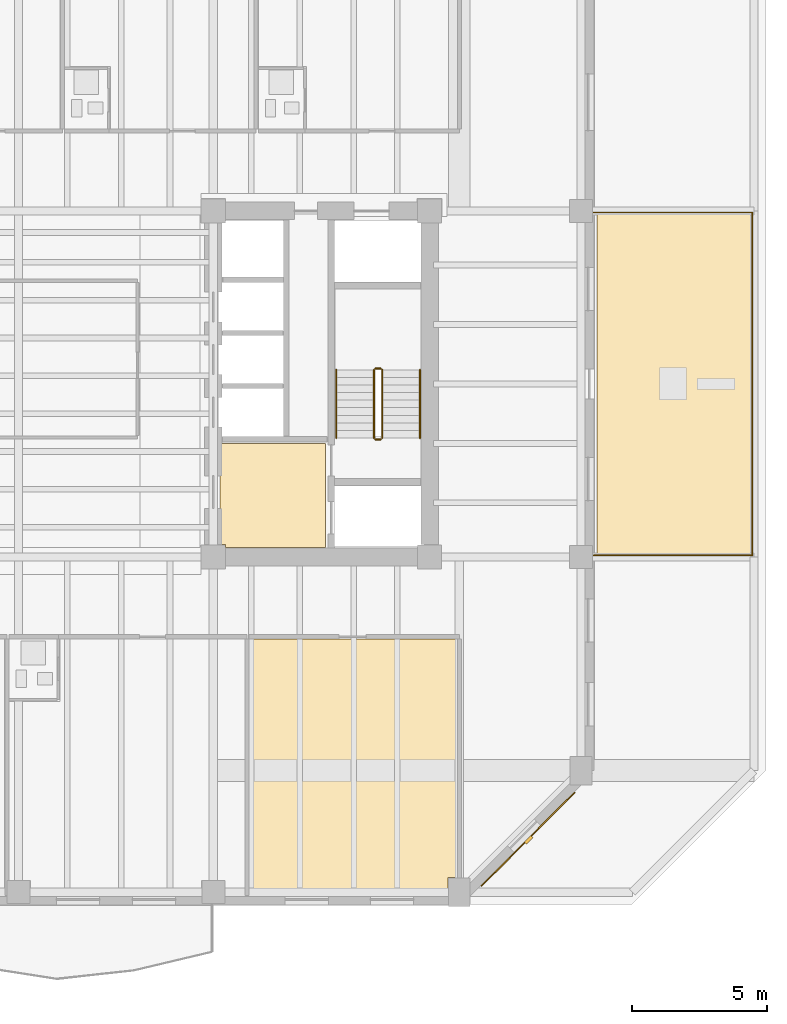
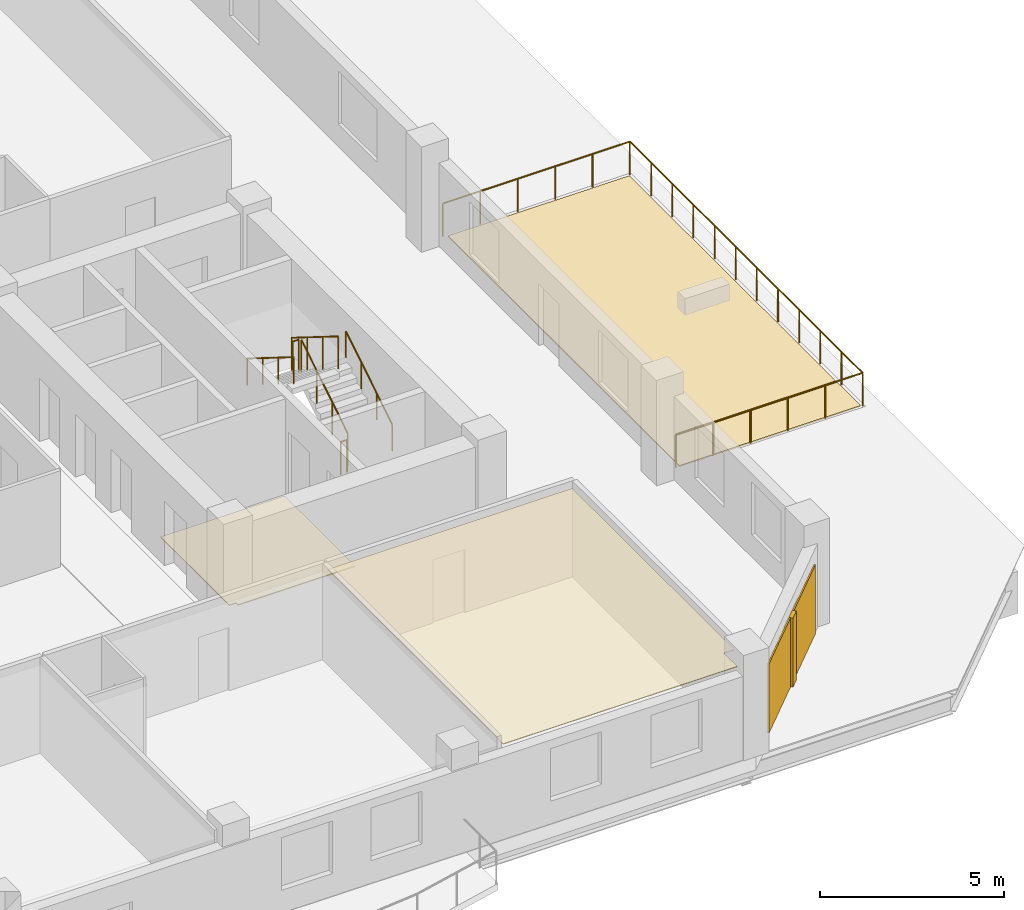
# One storey, part 9 of 11: 7 railings, 4 coverings, 1 shading device.
"""IFC4 building model written with IfcOpenShell, lengths in metres."""

from ifc_helpers import new_model, si_unit, direction, frame, origin, origin_2d, place, context, subcontext, project, spatial, polyline, rectangle, circle, outline, extrude, material, layer, layer_set, type_object, element, save


model = new_model("IFC4")

# Units and contexts
model_context = context("Model", 3, precision=1e-05, world=origin(), true_north=direction((0.0, 1.0)))
body_context = subcontext(model_context, "Body", "Model", "MODEL_VIEW")
ifc_project = project(units=[si_unit("LENGTHUNIT", "METRE"), si_unit("AREAUNIT", "SQUARE_METRE"), si_unit("VOLUMEUNIT", "CUBIC_METRE"), si_unit("PLANEANGLEUNIT", "RADIAN"), si_unit("MASSUNIT", "GRAM", prefix="KILO")], contexts=[model_context])

# Site, building, storey
site_placement = place(None, origin())
site = spatial("IfcSite", under=ifc_project, at=site_placement, CompositionType="ELEMENT")
building_placement = place(site_placement, origin())
building = spatial("IfcBuilding", under=site, at=building_placement, Name="Kranthara Brick Stack", CompositionType="ELEMENT")
storey_placement = place(building_placement, frame((0.0, 0.0, 183.300048828125)))
storey = spatial("IfcBuildingStorey", under=building, at=storey_placement, Name="L47", CompositionType="ELEMENT", Elevation=183.300048828125)

# Coverings
ifc_material_1 = material(Name="Perforated mineral-fibre acoustic ceiling tile", Category="other")
ifc_layer_1 = layer(ifc_material_1, 0.02490234375)
ifc_layer_set_1 = layer_set([ifc_layer_1], Name="Perforated mineral-fibre acoustic ceiling tile")
covering_type_1 = type_object("IfcCoveringType", Name="COV-CEIL-ACOUSTIC", PredefinedType="CEILING", material=ifc_layer_set_1)
covering_1_placement = place(storey_placement, frame((0.0, 0.0, 2.929931640625)))
element("IfcCovering", 1, at=covering_1_placement, inside=storey, type_object=covering_type_1, Name="L47 L47 Guest Sky Lounge 4 Acoustic Ceiling", PredefinedType="CEILING", context=body_context, shape_type="SweptSolid", body=[
    extrude(outline(polyline([(36.52587890625, 8.199951171875), (36.52587890625, 17.77001953125), (44.219970703125, 17.77001953125), (44.219970703125, 8.93505859375), (43.889892578125, 8.93505859375), (43.889892578125, 8.199951171875), (36.52587890625, 8.199951171875)])), origin(), (0.0, 0.0, 1.0), 0.02490234375),
])
ifc_material_2 = material(Name="Warm buff kiln-fired brick slip rainscreen", Category="masonry")
ifc_layer_2 = layer(ifc_material_2, 0.044921875)
ifc_layer_set_2 = layer_set([ifc_layer_2], Name="Warm buff kiln-fired brick slip rainscreen")
covering_type_2 = type_object("IfcCoveringType", Name="COV-CLAD-BRICK", PredefinedType="CLADDING", material=ifc_layer_set_2)
covering_2_placement = place(storey_placement, frame((46.84033203125, 10.359619140625, 0.0498046875), z_axis=(0.0, 0.0, 1.0), x_axis=(-0.707106781187, -0.707106781187, 0.0)))
element("IfcCovering", 2, at=covering_2_placement, inside=storey, type_object=covering_type_2, Name="L47 Chamfer Brick Rainscreen Cladding SE", PredefinedType="CLADDING", context=body_context, shape_type="SweptSolid", body=[
    extrude(rectangle(XDim=4.89306640625, YDim=0.044921875, at=origin_2d()), origin(), (0.0, 0.0, 1.0), 2.300048828125),
])
ifc_material_3 = material(Name="Honed terrazzo and porcelain floor finish", Category="stone")
ifc_layer_3 = layer(ifc_material_3, 0.030029296875)
ifc_layer_set_3 = layer_set([ifc_layer_3], Name="Honed terrazzo and porcelain floor finish")
covering_type_3 = type_object("IfcCoveringType", Name="COV-FLOR-STONE", PredefinedType="FLOORING", material=ifc_layer_set_3)
covering_3_placement = place(storey_placement, origin())
element("IfcCovering", 3, at=covering_3_placement, inside=storey, type_object=covering_type_3, Name="L47 Lift Lobby Stone Flooring", PredefinedType="FLOORING", context=body_context, shape_type="SweptSolid", body=[
    extrude(outline(polyline([(35.449951171875, 25.0), (39.35009765625, 25.0), (39.35009765625, 21.14990234375), (35.659912109375, 21.14990234375), (35.659912109375, 21.260009765625), (35.449951171875, 21.260009765625), (35.449951171875, 25.0)])), origin(), (0.0, 0.0, 1.0), 0.030029296875),
])
ifc_material_4 = material(Name="EPDM waterproofing membrane and rigid insulation", Category="other")
ifc_layer_4 = layer(ifc_material_4, 0.0400390625)
ifc_layer_set_4 = layer_set([ifc_layer_4], Name="EPDM waterproofing membrane and rigid insulation")
covering_type_4 = type_object("IfcCoveringType", Name="COV-ROOF-MEMB", PredefinedType="ROOFING", material=ifc_layer_set_4)
covering_4_placement = place(storey_placement, frame((0.0, 0.0, -0.0400390625)))
element("IfcCovering", 4, at=covering_4_placement, inside=storey, type_object=covering_type_4, Name="L47 Sky Garden Waterproofing Membrane", PredefinedType="ROOFING", context=body_context, shape_type="SweptSolid", body=[
    extrude(outline(polyline([(49.39990234375, 20.89990234375), (55.10009765625, 20.89990234375), (55.10009765625, 33.5), (49.39990234375, 33.5), (49.39990234375, 20.89990234375)])), origin(), (0.0, 0.0, 1.0), 0.0400390625),
])

# Railings
ifc_material_5 = material(Name="Painted galvanized steel stair guardrail", Category="steel")
railing_type_1 = type_object("IfcRailingType", Name="RL-STAIR-GUARD-1100", PredefinedType="GUARDRAIL", material=ifc_material_5)
railing_1_placement = place(storey_placement, frame((41.449951171875, 25.199951171875, 0.175048828125)))
element("IfcRailing", 5, at=railing_1_placement, inside=storey, type_object=railing_type_1, Name="L47 ST02 stair guard 1", PredefinedType="GUARDRAIL", context=body_context, shape_type="SweptSolid", body=[
    extrude(circle(Radius=0.02392578125, at=origin_2d()), frame((0.0, 0.0, 1.076171875), z_axis=(0.0, 0.848007534815, 0.529984170421), x_axis=(-1.0, 0.0, 0.0)), (0.0, 0.0, 1.0), 2.9716796875),
    extrude(circle(Radius=0.02099609375, at=origin_2d()), origin(), (0.0, 0.0, 1.0), 1.052001953125),
    extrude(circle(Radius=0.02099609375, at=origin_2d()), frame((0.0, 0.840087890625, 0.52490234375)), (0.0, 0.0, 1.0), 1.052001953125),
    extrude(circle(Radius=0.02099609375, at=origin_2d()), frame((0.0, 1.679931640625, 1.050048828125)), (0.0, 0.0, 1.0), 1.052001953125),
    extrude(circle(Radius=0.02099609375, at=origin_2d()), frame((0.0, 2.52001953125, 1.574951171875)), (0.0, 0.0, 1.0), 1.052001953125),
])
railing_2_placement = place(storey_placement, frame((41.39990234375, 27.77001953125, 1.75)))
element("IfcRailing", 6, at=railing_2_placement, inside=storey, type_object=railing_type_1, Name="L47 ST02 stair guard 2", PredefinedType="GUARDRAIL", context=body_context, shape_type="SweptSolid", body=[
    extrude(circle(Radius=0.02392578125, at=origin_2d()), frame((0.0, 0.0, 1.076171875), z_axis=(-1.0, 0.0, 0.0), x_axis=(0.0, -1.0, 0.0)), (0.0, 0.0, 1.0), 0.199951171875),
    extrude(circle(Radius=0.02099609375, at=origin_2d()), origin(), (0.0, 0.0, 1.0), 1.052001953125),
    extrude(circle(Radius=0.02099609375, at=origin_2d()), frame((-0.199951171875, 0.0, 0.0)), (0.0, 0.0, 1.0), 1.052001953125),
])
railing_3_placement = place(storey_placement, frame((41.14990234375, 27.719970703125, 1.925048828125)))
element("IfcRailing", 7, at=railing_3_placement, inside=storey, type_object=railing_type_1, Name="L47 ST02 stair guard 3", PredefinedType="GUARDRAIL", context=body_context, shape_type="SweptSolid", body=[
    extrude(circle(Radius=0.02392578125, at=origin_2d()), frame((0.0, 0.0, 1.076171875), z_axis=(0.0, -0.848007534815, 0.529984170421), x_axis=(1.0, 0.0, 0.0)), (0.0, 0.0, 1.0), 2.9716796875),
    extrude(circle(Radius=0.02099609375, at=origin_2d()), origin(), (0.0, 0.0, 1.0), 1.052001953125),
    extrude(circle(Radius=0.02099609375, at=origin_2d()), frame((0.0, -0.840087890625, 0.52490234375)), (0.0, 0.0, 1.0), 1.052001953125),
    extrude(circle(Radius=0.02099609375, at=origin_2d()), frame((0.0, -1.679931640625, 1.050048828125)), (0.0, 0.0, 1.0), 1.052001953125),
    extrude(circle(Radius=0.02099609375, at=origin_2d()), frame((0.0, -2.52001953125, 1.574951171875)), (0.0, 0.0, 1.0), 1.052001953125),
])
railing_4_placement = place(storey_placement, frame((41.39990234375, 25.14990234375, 0.0)))
element("IfcRailing", 8, at=railing_4_placement, inside=storey, type_object=railing_type_1, Name="L47 ST02 stair guard 4", PredefinedType="GUARDRAIL", context=body_context, shape_type="SweptSolid", body=[
    extrude(circle(Radius=0.02392578125, at=origin_2d()), frame((0.0, 0.0, 1.076171875), z_axis=(-1.0, 0.0, 0.0), x_axis=(0.0, -1.0, 0.0)), (0.0, 0.0, 1.0), 0.199951171875),
    extrude(circle(Radius=0.02099609375, at=origin_2d()), origin(), (0.0, 0.0, 1.0), 1.052001953125),
    extrude(circle(Radius=0.02099609375, at=origin_2d()), frame((-0.199951171875, 0.0, 0.0)), (0.0, 0.0, 1.0), 1.052001953125),
])
ifc_material_6 = material(Name="Brushed stainless steel tubular handrail", Category="steel")
railing_type_2 = type_object("IfcRailingType", Name="RL-STAIR-HAND-900", PredefinedType="HANDRAIL", material=ifc_material_6)
railing_5_placement = place(storey_placement, frame((42.85009765625, 25.199951171875, 0.175048828125)))
element("IfcRailing", 9, at=railing_5_placement, inside=storey, type_object=railing_type_2, Name="L47 ST02 stair handrail 1", PredefinedType="HANDRAIL", context=body_context, shape_type="SweptSolid", body=[
    extrude(circle(Radius=0.02392578125, at=origin_2d()), frame((0.0, 0.0, 0.8759765625), z_axis=(0.0, 0.848007534815, 0.529984170421), x_axis=(-1.0, 0.0, 0.0)), (0.0, 0.0, 1.0), 2.9716796875),
    extrude(circle(Radius=0.02099609375, at=origin_2d()), origin(), (0.0, 0.0, 1.0), 0.851806640625),
    extrude(circle(Radius=0.02099609375, at=origin_2d()), frame((0.0, 0.840087890625, 0.52490234375)), (0.0, 0.0, 1.0), 0.851806640625),
    extrude(circle(Radius=0.02099609375, at=origin_2d()), frame((0.0, 1.679931640625, 1.050048828125)), (0.0, 0.0, 1.0), 0.851806640625),
    extrude(circle(Radius=0.02099609375, at=origin_2d()), frame((0.0, 2.52001953125, 1.574951171875)), (0.0, 0.0, 1.0), 0.851806640625),
])
railing_6_placement = place(storey_placement, frame((39.75, 27.719970703125, 1.925048828125)))
element("IfcRailing", 10, at=railing_6_placement, inside=storey, type_object=railing_type_2, Name="L47 ST02 stair handrail 2", PredefinedType="HANDRAIL", context=body_context, shape_type="SweptSolid", body=[
    extrude(circle(Radius=0.02392578125, at=origin_2d()), frame((0.0, 0.0, 0.8759765625), z_axis=(0.0, -0.848007534815, 0.529984170421), x_axis=(1.0, 0.0, 0.0)), (0.0, 0.0, 1.0), 2.9716796875),
    extrude(circle(Radius=0.02099609375, at=origin_2d()), origin(), (0.0, 0.0, 1.0), 0.851806640625),
    extrude(circle(Radius=0.02099609375, at=origin_2d()), frame((0.0, -0.840087890625, 0.52490234375)), (0.0, 0.0, 1.0), 0.851806640625),
    extrude(circle(Radius=0.02099609375, at=origin_2d()), frame((0.0, -1.679931640625, 1.050048828125)), (0.0, 0.0, 1.0), 0.851806640625),
    extrude(circle(Radius=0.02099609375, at=origin_2d()), frame((0.0, -2.52001953125, 1.574951171875)), (0.0, 0.0, 1.0), 0.851806640625),
])
ifc_material_7 = material(Name="Bronze anodised aluminium guardrail", Category="aluminium")
railing_type_3 = type_object("IfcRailingType", Name="RL-TERR-1100", PredefinedType="GUARDRAIL", material=ifc_material_7)
railing_7_placement = place(storey_placement, frame((49.260009765625, 20.860107421875, 0.0)))
element("IfcRailing", 11, at=railing_7_placement, inside=storey, type_object=railing_type_3, Name="L47 Sky Garden Perimeter Guardrail", PredefinedType="GUARDRAIL", context=body_context, shape_type="SweptSolid", body=[
    extrude(circle(Radius=0.02392578125, at=origin_2d()), frame((0.0, 0.0, 1.09619140625), z_axis=(1.0, 0.0, 0.0), x_axis=(0.0, 1.0, 0.0)), (0.0, 0.0, 1.0), 5.8798828125),
    extrude(circle(Radius=0.02392578125, at=origin_2d()), frame((5.8798828125, 0.0, 1.09619140625), z_axis=(0.0, 1.0, 0.0), x_axis=(-1.0, 0.0, 0.0)), (0.0, 0.0, 1.0), 12.679931640625),
    extrude(circle(Radius=0.02392578125, at=origin_2d()), frame((5.8798828125, 12.679931640625, 1.09619140625), z_axis=(-1.0, 0.0, 0.0), x_axis=(0.0, -1.0, 0.0)), (0.0, 0.0, 1.0), 5.8798828125),
    extrude(circle(Radius=0.02099609375, at=origin_2d()), origin(), (0.0, 0.0, 1.0), 1.072021484375),
    extrude(circle(Radius=0.02099609375, at=origin_2d()), frame((1.176025390625, 0.0, 0.0)), (0.0, 0.0, 1.0), 1.072021484375),
    extrude(circle(Radius=0.02099609375, at=origin_2d()), frame((2.35205078125, 0.0, 0.0)), (0.0, 0.0, 1.0), 1.072021484375),
    extrude(circle(Radius=0.02099609375, at=origin_2d()), frame((3.52783203125, 0.0, 0.0)), (0.0, 0.0, 1.0), 1.072021484375),
    extrude(circle(Radius=0.02099609375, at=origin_2d()), frame((4.703857421875, 0.0, 0.0)), (0.0, 0.0, 1.0), 1.072021484375),
    extrude(circle(Radius=0.02099609375, at=origin_2d()), frame((5.8798828125, 0.0, 0.0)), (0.0, 0.0, 1.0), 1.072021484375),
    extrude(circle(Radius=0.02099609375, at=origin_2d()), frame((5.8798828125, 1.15283203125, 0.0)), (0.0, 0.0, 1.0), 1.072021484375),
    extrude(circle(Radius=0.02099609375, at=origin_2d()), frame((5.8798828125, 2.305419921875, 0.0)), (0.0, 0.0, 1.0), 1.072021484375),
    extrude(circle(Radius=0.02099609375, at=origin_2d()), frame((5.8798828125, 3.458251953125, 0.0)), (0.0, 0.0, 1.0), 1.072021484375),
    extrude(circle(Radius=0.02099609375, at=origin_2d()), frame((5.8798828125, 4.61083984375, 0.0)), (0.0, 0.0, 1.0), 1.072021484375),
    extrude(circle(Radius=0.02099609375, at=origin_2d()), frame((5.8798828125, 5.763671875, 0.0)), (0.0, 0.0, 1.0), 1.072021484375),
    extrude(circle(Radius=0.02099609375, at=origin_2d()), frame((5.8798828125, 6.916259765625, 0.0)), (0.0, 0.0, 1.0), 1.072021484375),
    extrude(circle(Radius=0.02099609375, at=origin_2d()), frame((5.8798828125, 8.069091796875, 0.0)), (0.0, 0.0, 1.0), 1.072021484375),
    extrude(circle(Radius=0.02099609375, at=origin_2d()), frame((5.8798828125, 9.2216796875, 0.0)), (0.0, 0.0, 1.0), 1.072021484375),
    extrude(circle(Radius=0.02099609375, at=origin_2d()), frame((5.8798828125, 10.37451171875, 0.0)), (0.0, 0.0, 1.0), 1.072021484375),
    extrude(circle(Radius=0.02099609375, at=origin_2d()), frame((5.8798828125, 11.527099609375, 0.0)), (0.0, 0.0, 1.0), 1.072021484375),
    extrude(circle(Radius=0.02099609375, at=origin_2d()), frame((5.8798828125, 12.679931640625, 0.0)), (0.0, 0.0, 1.0), 1.072021484375),
    extrude(circle(Radius=0.02099609375, at=origin_2d()), frame((4.703857421875, 12.679931640625, 0.0)), (0.0, 0.0, 1.0), 1.072021484375),
    extrude(circle(Radius=0.02099609375, at=origin_2d()), frame((3.52783203125, 12.679931640625, 0.0)), (0.0, 0.0, 1.0), 1.072021484375),
    extrude(circle(Radius=0.02099609375, at=origin_2d()), frame((2.35205078125, 12.679931640625, 0.0)), (0.0, 0.0, 1.0), 1.072021484375),
    extrude(circle(Radius=0.02099609375, at=origin_2d()), frame((1.176025390625, 12.679931640625, 0.0)), (0.0, 0.0, 1.0), 1.072021484375),
    extrude(circle(Radius=0.02099609375, at=origin_2d()), frame((0.0, 12.679931640625, 0.0)), (0.0, 0.0, 1.0), 1.072021484375),
])

# Shading device
ifc_material_8 = material(Name="Kiln-fired terracotta aerodynamic wind fin", Category="masonry")
shading_device_type = type_object("IfcShadingDeviceType", Name="SHD-BAFFLE-CORNER", PredefinedType="SHUTTER", material=ifc_material_8)
shading_device_placement = place(storey_placement, frame((46.861572265625, 10.33837890625, 0.0498046875), z_axis=(0.0, 0.0, 1.0), x_axis=(-0.707106781187, -0.707106781187, 0.0)))
element("IfcShadingDevice", 12, at=shading_device_placement, inside=storey, type_object=shading_device_type, Name="L47 Chamfer Wind-Baffle Fin SE", PredefinedType="SHUTTER", context=body_context, shape_type="SweptSolid", body=[
    extrude(rectangle(XDim=0.35009765625, YDim=0.1201171875, at=origin_2d()), origin(), (0.0, 0.0, 1.0), 2.300048828125),
])

save(model, "model.ifc")
